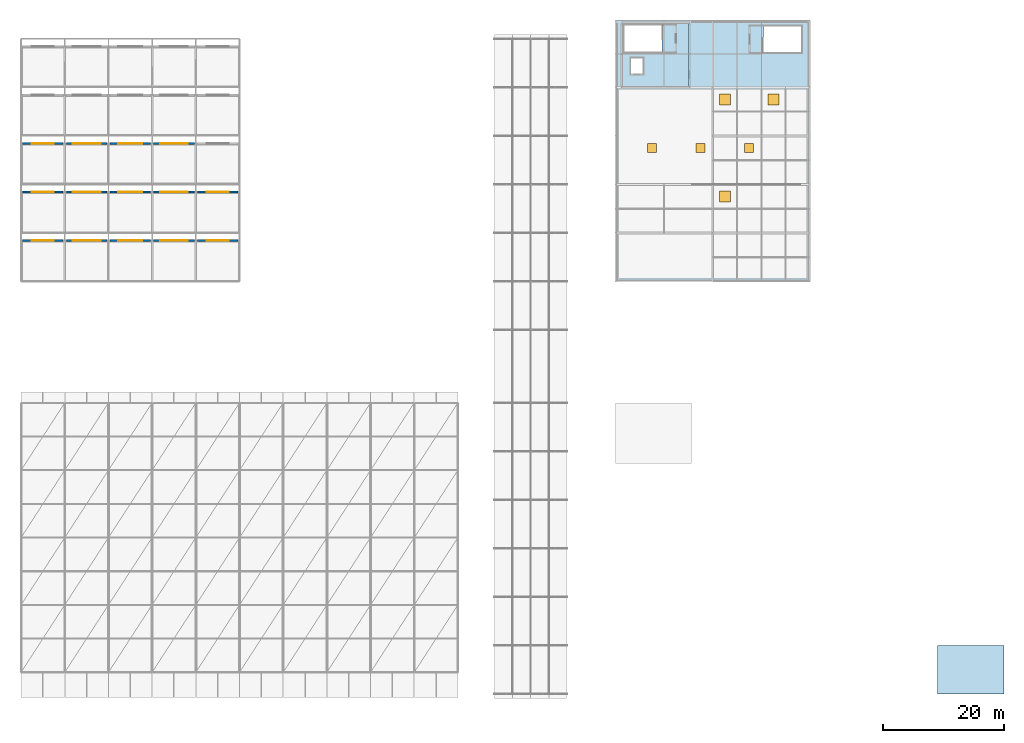
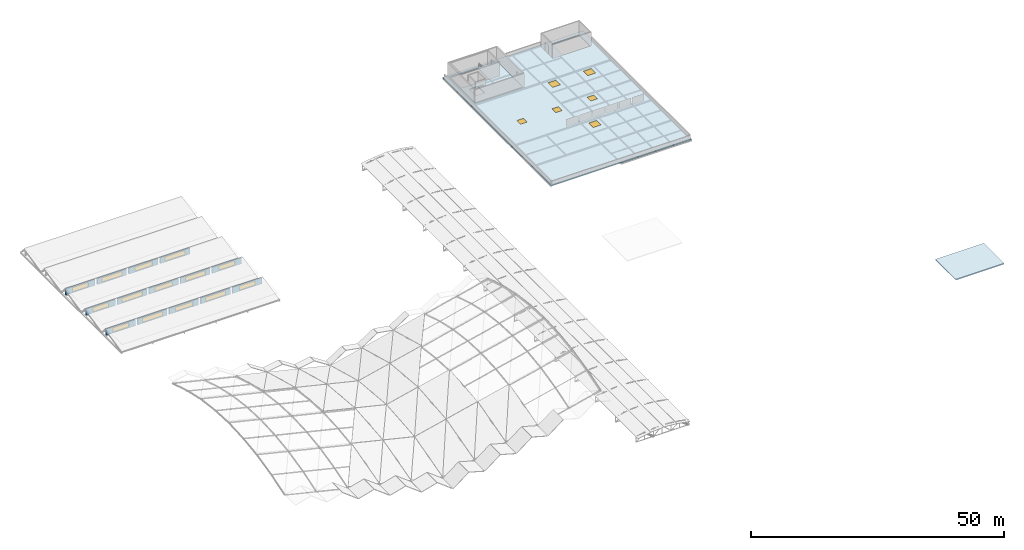
# One storey, part 51 of 54: 20 windows, 14 walls, 3 slabs, 20 openings.
"""IFC4 building model written with IfcOpenShell, lengths in metres."""

from ifc_helpers import new_model, si_unit, derived_unit, direction, frame, frame_2d, origin, origin_2d, place, context, subcontext, project, spatial, polyline, rectangle, outline, extrude, material, layer, layer_set, type_object, element, fill, save


model = new_model("IFC4")

# Units and contexts
model_context = context("Model", 3, precision=1e-05, world=origin(), true_north=direction((0.0, 1.0)))
body_context = subcontext(model_context, "Body", "Model", "MODEL_VIEW")
ifc_project = project(units=[si_unit("LENGTHUNIT", "METRE"), si_unit("AREAUNIT", "SQUARE_METRE"), si_unit("VOLUMEUNIT", "CUBIC_METRE"), si_unit("PLANEANGLEUNIT", "RADIAN"), si_unit("MASSUNIT", "GRAM", prefix="KILO"), derived_unit("THERMALTRANSMITTANCEUNIT", [(si_unit("POWERUNIT", "WATT"), 1), (si_unit("LENGTHUNIT", "METRE"), -2), (si_unit("THERMODYNAMICTEMPERATUREUNIT", "KELVIN"), -1)])], contexts=[model_context])

# Site, building, storey
site_placement = place(None, origin())
site = spatial("IfcSite", under=ifc_project, at=site_placement, CompositionType="ELEMENT")
building_placement = place(site_placement, origin())
building = spatial("IfcBuilding", under=site, at=building_placement, Name="Keldorne Ridge Multi-Sports Centre", CompositionType="ELEMENT")
storey_placement = place(building_placement, frame((0.0, 0.0, 22.199951171875)))
storey = spatial("IfcBuildingStorey", under=building, at=storey_placement, Name="ROOF", CompositionType="ELEMENT", Elevation=22.199951171875)

# Slab
ifc_material_1 = material(Name="Concrete C35/45", Category="concrete")
ifc_layer_1 = layer(ifc_material_1, 0.219970703125)
ifc_layer_set_1 = layer_set([ifc_layer_1], Name="Concrete C35/45")
slab_type_1 = type_object("IfcSlabType", Name="SLB-SL-F02", PredefinedType="FLOOR", material=ifc_layer_set_1)
slab_1_placement = place(storey_placement, frame((0.0, 0.0, -0.219970703125)))
element("IfcSlab", 1, at=slab_1_placement, inside=storey, type_object=slab_type_1, Name="Top Core C1 roof headhouse lobby floor slab", PredefinedType="FLOOR", context=body_context, shape_type="SweptSolid", body=[
    extrude(outline(polyline([(105.14990234375, 106.14990234375), (116.050048828125, 106.14990234375), (116.050048828125, 116.5), (105.14990234375, 116.5), (105.14990234375, 106.14990234375)]), holes=[polyline([(105.39990234375, 111.89990234375), (105.39990234375, 116.199951171875), (111.6201171875, 116.199951171875), (111.6201171875, 111.89990234375), (105.39990234375, 111.89990234375)]), polyline([(106.5, 108.199951171875), (106.5, 110.800048828125), (108.5, 110.800048828125), (108.5, 108.199951171875), (106.5, 108.199951171875)])]), origin(), (0.0, 0.0, 1.0), 0.219970703125),
])

# Slab, openings, windows
ifc_layer_2 = layer(ifc_material_1, 0.22998046875)
ifc_layer_set_2 = layer_set([ifc_layer_2], Name="Concrete C35/45")
slab_type_2 = type_object("IfcSlabType", Name="SLB-SL-R01", PredefinedType="ROOF", material=ifc_layer_set_2)
slab_2_placement = place(storey_placement, frame((0.0, 0.0, -0.22998046875)))
slab_2 = element("IfcSlab", 2, at=slab_2_placement, inside=storey, type_object=slab_type_2, Name="Top East Wing vegetated roof slab", PredefinedType="ROOF", context=body_context, shape_type="SweptSolid", body=[
    extrude(outline(polyline([(104.0, 74.0), (136.0, 74.0), (136.0, 117.0), (104.0, 117.0), (104.0, 74.0)]), holes=[polyline([(128.3798828125, 111.800048828125), (128.3798828125, 116.10009765625), (134.60009765625, 116.10009765625), (134.60009765625, 111.800048828125), (128.3798828125, 111.800048828125)]), polyline([(105.14990234375, 106.14990234375), (105.14990234375, 116.5), (116.050048828125, 116.5), (116.050048828125, 106.14990234375), (105.14990234375, 106.14990234375)]), polyline([(109.25, 95.25), (109.25, 96.75), (110.75, 96.75), (110.75, 95.25), (109.25, 95.25)]), polyline([(117.25, 95.25), (117.25, 96.75), (118.75, 96.75), (118.75, 95.25), (117.25, 95.25)]), polyline([(125.25, 95.25), (125.25, 96.75), (126.75, 96.75), (126.75, 95.25), (125.25, 95.25)]), polyline([(121.10009765625, 103.10009765625), (121.10009765625, 104.89990234375), (122.89990234375, 104.89990234375), (122.89990234375, 103.10009765625), (121.10009765625, 103.10009765625)]), polyline([(129.10009765625, 103.10009765625), (129.10009765625, 104.89990234375), (130.89990234375, 104.89990234375), (130.89990234375, 103.10009765625), (129.10009765625, 103.10009765625)]), polyline([(121.10009765625, 87.10009765625), (121.10009765625, 88.89990234375), (122.89990234375, 88.89990234375), (122.89990234375, 87.10009765625), (121.10009765625, 87.10009765625)])]), origin(), (0.0, 0.0, 1.0), 0.22998046875),
])
opening_1_placement = place(slab_2_placement, frame((110.0, 96.0, 0.0)))
opening_1 = element("IfcOpeningElement", 3, at=opening_1_placement, cuts=slab_2, Name="Opening RD-02", PredefinedType="OPENING", context=body_context, shape_type="SweptSolid", body=[
    extrude(rectangle(XDim=1.5, YDim=1.5, at=origin_2d()), frame((0.0, 0.0, -0.010009765625)), (0.0, 0.0, 1.0), 0.25),
])
opening_2_placement = place(slab_2_placement, frame((118.0, 96.0, 0.0)))
opening_2 = element("IfcOpeningElement", 4, at=opening_2_placement, cuts=slab_2, Name="Opening RD-02", PredefinedType="OPENING", context=body_context, shape_type="SweptSolid", body=[
    extrude(rectangle(XDim=1.5, YDim=1.5, at=origin_2d()), frame((0.0, 0.0, -0.010009765625)), (0.0, 0.0, 1.0), 0.25),
])
opening_3_placement = place(slab_2_placement, frame((126.0, 96.0, 0.0)))
opening_3 = element("IfcOpeningElement", 5, at=opening_3_placement, cuts=slab_2, Name="Opening RD-02", PredefinedType="OPENING", context=body_context, shape_type="SweptSolid", body=[
    extrude(rectangle(XDim=1.5, YDim=1.5, at=origin_2d()), frame((0.0, 0.0, -0.010009765625)), (0.0, 0.0, 1.0), 0.25),
])
opening_4_placement = place(slab_2_placement, frame((122.0, 104.0, 0.0)))
opening_4 = element("IfcOpeningElement", 6, at=opening_4_placement, cuts=slab_2, Name="Opening RD-01", PredefinedType="OPENING", context=body_context, shape_type="SweptSolid", body=[
    extrude(rectangle(XDim=1.800048828125, YDim=1.800048828125, at=origin_2d()), frame((0.0, 0.0, -0.010009765625)), (0.0, 0.0, 1.0), 0.25),
])
opening_5_placement = place(slab_2_placement, frame((130.0, 104.0, 0.0)))
opening_5 = element("IfcOpeningElement", 7, at=opening_5_placement, cuts=slab_2, Name="Opening RD-01", PredefinedType="OPENING", context=body_context, shape_type="SweptSolid", body=[
    extrude(rectangle(XDim=1.800048828125, YDim=1.800048828125, at=origin_2d()), frame((0.0, 0.0, -0.010009765625)), (0.0, 0.0, 1.0), 0.25),
])
opening_6_placement = place(slab_2_placement, frame((122.0, 88.0, 0.0)))
opening_6 = element("IfcOpeningElement", 8, at=opening_6_placement, cuts=slab_2, Name="Opening RD-01", PredefinedType="OPENING", context=body_context, shape_type="SweptSolid", body=[
    extrude(rectangle(XDim=1.800048828125, YDim=1.800048828125, at=origin_2d()), frame((0.0, 0.0, -0.010009765625)), (0.0, 0.0, 1.0), 0.25),
])
ifc_material_2 = material(Name="Anodized aluminium", Category="aluminium")
window_type_1 = type_object("IfcWindowType", Name="WIN-RD-01", PartitioningType="SINGLE_PANEL", PredefinedType="LIGHTDOME", material=ifc_material_2)
window_1_placement = place(opening_4_placement, frame((0.0, 0.0, 0.179931640625)))
window_1 = element("IfcWindow", 9, at=window_1_placement, inside=storey, type_object=window_type_1, Name="Rooftop daylight roof dome RD-04", OverallHeight=1.800048828125, OverallWidth=1.800048828125, PartitioningType="SINGLE_PANEL", PredefinedType="LIGHTDOME", context=body_context, shape_type="SweptSolid", body=[
    extrude(rectangle(XDim=1.800048828125, YDim=1.800048828125, at=origin_2d()), origin(), (0.0, 0.0, 1.0), 0.050048828125),
])
fill(opening_4, window_1)
window_2_placement = place(opening_5_placement, frame((0.0, 0.0, 0.179931640625)))
window_2 = element("IfcWindow", 10, at=window_2_placement, inside=storey, type_object=window_type_1, Name="Rooftop daylight roof dome RD-05", OverallHeight=1.800048828125, OverallWidth=1.800048828125, PartitioningType="SINGLE_PANEL", PredefinedType="LIGHTDOME", context=body_context, shape_type="SweptSolid", body=[
    extrude(rectangle(XDim=1.800048828125, YDim=1.800048828125, at=origin_2d()), origin(), (0.0, 0.0, 1.0), 0.050048828125),
])
fill(opening_5, window_2)
window_3_placement = place(opening_6_placement, frame((0.0, 0.0, 0.179931640625)))
window_3 = element("IfcWindow", 11, at=window_3_placement, inside=storey, type_object=window_type_1, Name="Rooftop daylight roof dome RD-06", OverallHeight=1.800048828125, OverallWidth=1.800048828125, PartitioningType="SINGLE_PANEL", PredefinedType="LIGHTDOME", context=body_context, shape_type="SweptSolid", body=[
    extrude(rectangle(XDim=1.800048828125, YDim=1.800048828125, at=origin_2d()), origin(), (0.0, 0.0, 1.0), 0.050048828125),
])
fill(opening_6, window_3)
window_type_2 = type_object("IfcWindowType", Name="WIN-RD-02", PartitioningType="SINGLE_PANEL", PredefinedType="LIGHTDOME", material=ifc_material_2)
window_4_placement = place(opening_1_placement, frame((0.0, 0.0, 0.179931640625)))
window_4 = element("IfcWindow", 12, at=window_4_placement, inside=storey, type_object=window_type_2, Name="Rooftop daylight roof dome RD-01", OverallHeight=1.5, OverallWidth=1.5, PartitioningType="SINGLE_PANEL", PredefinedType="LIGHTDOME", context=body_context, shape_type="SweptSolid", body=[
    extrude(rectangle(XDim=1.5, YDim=1.5, at=origin_2d()), origin(), (0.0, 0.0, 1.0), 0.050048828125),
])
fill(opening_1, window_4)
window_5_placement = place(opening_2_placement, frame((0.0, 0.0, 0.179931640625)))
window_5 = element("IfcWindow", 13, at=window_5_placement, inside=storey, type_object=window_type_2, Name="Rooftop daylight roof dome RD-02", OverallHeight=1.5, OverallWidth=1.5, PartitioningType="SINGLE_PANEL", PredefinedType="LIGHTDOME", context=body_context, shape_type="SweptSolid", body=[
    extrude(rectangle(XDim=1.5, YDim=1.5, at=origin_2d()), origin(), (0.0, 0.0, 1.0), 0.050048828125),
])
fill(opening_2, window_5)
window_6_placement = place(opening_3_placement, frame((0.0, 0.0, 0.179931640625)))
window_6 = element("IfcWindow", 14, at=window_6_placement, inside=storey, type_object=window_type_2, Name="Rooftop daylight roof dome RD-03", OverallHeight=1.5, OverallWidth=1.5, PartitioningType="SINGLE_PANEL", PredefinedType="LIGHTDOME", context=body_context, shape_type="SweptSolid", body=[
    extrude(rectangle(XDim=1.5, YDim=1.5, at=origin_2d()), origin(), (0.0, 0.0, 1.0), 0.050048828125),
])
fill(opening_3, window_6)

# Slab
slab_3_placement = place(storey_placement, frame((0.0, 0.0, -0.22998046875)))
element("IfcSlab", 15, at=slab_3_placement, inside=storey, type_object=slab_type_2, Name="Top Core C5 headhouse roof", PredefinedType="ROOF", context=body_context, shape_type="SweptSolid", body=[
    extrude(outline(polyline([(157.0, 6.0), (168.0, 6.0), (168.0, 14.0), (157.0, 14.0), (157.0, 6.0)])), origin(), (0.0, 0.0, 1.0), 0.22998046875),
])

# Wall, opening, window
ifc_material_3 = material(Name="Precast concrete C40/50", Category="concrete")
ifc_layer_3 = layer(ifc_material_3, 0.280029296875)
ifc_layer_set_3 = layer_set([ifc_layer_3], Name="Precast concrete C40/50")
wall_type = type_object("IfcWallType", Name="WAL-PR-W3", PredefinedType="STANDARD", material=ifc_layer_set_3)
wall_1_placement = place(storey_placement, frame((12.949951171875, 80.75, -6.0), z_axis=(0.0, 0.0, 1.0), x_axis=(-1.0, 0.0, 0.0)))
wall_1 = element("IfcWall", 16, at=wall_1_placement, inside=storey, type_object=wall_type, Name="Sawtooth north-light monitor 1.1", PredefinedType="STANDARD", context=body_context, shape_type="SweptSolid", body=[
    extrude(rectangle(XDim=6.699951171875, YDim=0.280029296875, at=frame_2d((3.35009765625, 0.0))), origin(), (0.0, 0.0, 1.0), 1.449951171875),
])
opening_7_placement = place(wall_1_placement, frame((1.550048828125, 0.0, 0.199951171875)))
opening_7 = element("IfcOpeningElement", 17, at=opening_7_placement, cuts=wall_1, Name="Opening SK-02", PredefinedType="OPENING", context=body_context, shape_type="SweptSolid", body=[
    extrude(rectangle(XDim=3.60009765625, YDim=1.050048828125, at=frame_2d((1.800048828125, 0.52490234375))), frame((0.0, 0.14990234375, 0.0), z_axis=(0.0, -1.0, 0.0), x_axis=(1.0, 0.0, 0.0)), (0.0, 0.0, 1.0), 0.300048828125),
])
window_type_3 = type_object("IfcWindowType", Name="WIN-SK-02", PartitioningType="DOUBLE_PANEL_VERTICAL", PredefinedType="SKYLIGHT", material=ifc_material_2)
window_7_placement = place(opening_7_placement, origin())
window_7 = element("IfcWindow", 18, at=window_7_placement, inside=storey, type_object=window_type_3, Name="North-light sawtooth skylight W-002", OverallHeight=1.050048828125, OverallWidth=3.60009765625, PartitioningType="SINGLE_PANEL", PredefinedType="SKYLIGHT", context=body_context, shape_type="SweptSolid", body=[
    extrude(rectangle(XDim=3.60009765625, YDim=1.050048828125, at=frame_2d((1.800048828125, 0.52490234375))), frame((0.0, 0.030029296875, 0.0), z_axis=(0.0, -1.0, 0.0), x_axis=(1.0, 0.0, 0.0)), (0.0, 0.0, 1.0), 0.06005859375),
])
fill(opening_7, window_7)

wall_2_placement = place(storey_placement, frame((20.14990234375, 80.75, -6.0), z_axis=(0.0, 0.0, 1.0), x_axis=(-1.0, 0.0, 0.0)))
wall_2 = element("IfcWall", 19, at=wall_2_placement, inside=storey, type_object=wall_type, Name="Sawtooth north-light monitor 1.2", PredefinedType="STANDARD", context=body_context, shape_type="SweptSolid", body=[
    extrude(rectangle(XDim=6.699951171875, YDim=0.280029296875, at=frame_2d((3.35009765625, 0.0))), origin(), (0.0, 0.0, 1.0), 1.449951171875),
])
opening_8_placement = place(wall_2_placement, frame((1.050048828125, 0.0, 0.199951171875)))
opening_8 = element("IfcOpeningElement", 20, at=opening_8_placement, cuts=wall_2, Name="Opening SK-01", PredefinedType="OPENING", context=body_context, shape_type="SweptSolid", body=[
    extrude(rectangle(XDim=4.60009765625, YDim=1.050048828125, at=frame_2d((2.300048828125, 0.52490234375))), frame((0.0, 0.14990234375, 0.0), z_axis=(0.0, -1.0, 0.0), x_axis=(1.0, 0.0, 0.0)), (0.0, 0.0, 1.0), 0.300048828125),
])
window_type_4 = type_object("IfcWindowType", Name="WIN-SK-01", PartitioningType="DOUBLE_PANEL_VERTICAL", PredefinedType="SKYLIGHT", material=ifc_material_2)
window_8_placement = place(opening_8_placement, origin())
window_8 = element("IfcWindow", 21, at=window_8_placement, inside=storey, type_object=window_type_4, Name="North-light sawtooth skylight W-003", OverallHeight=1.050048828125, OverallWidth=4.60009765625, PartitioningType="SINGLE_PANEL", PredefinedType="SKYLIGHT", context=body_context, shape_type="SweptSolid", body=[
    extrude(rectangle(XDim=4.60009765625, YDim=1.050048828125, at=frame_2d((2.300048828125, 0.52490234375))), frame((0.0, 0.030029296875, 0.0), z_axis=(0.0, -1.0, 0.0), x_axis=(1.0, 0.0, 0.0)), (0.0, 0.0, 1.0), 0.06005859375),
])
fill(opening_8, window_8)

wall_3_placement = place(storey_placement, frame((27.35009765625, 80.75, -6.0), z_axis=(0.0, 0.0, 1.0), x_axis=(-1.0, 0.0, 0.0)))
wall_3 = element("IfcWall", 22, at=wall_3_placement, inside=storey, type_object=wall_type, Name="Sawtooth north-light monitor 1.3", PredefinedType="STANDARD", context=body_context, shape_type="SweptSolid", body=[
    extrude(rectangle(XDim=6.7001953125, YDim=0.280029296875, at=frame_2d((3.35009765625, 0.0))), origin(), (0.0, 0.0, 1.0), 1.449951171875),
])
opening_9_placement = place(wall_3_placement, frame((1.35009765625, 0.0, 0.199951171875)))
opening_9 = element("IfcOpeningElement", 23, at=opening_9_placement, cuts=wall_3, Name="Opening SK-03", PredefinedType="OPENING", context=body_context, shape_type="SweptSolid", body=[
    extrude(rectangle(XDim=4.0, YDim=1.0, at=frame_2d((2.0, 0.5))), frame((0.0, 0.14990234375, 0.0), z_axis=(0.0, -1.0, 0.0), x_axis=(1.0, 0.0, 0.0)), (0.0, 0.0, 1.0), 0.300048828125),
])
window_type_5 = type_object("IfcWindowType", Name="WIN-SK-03", PartitioningType="DOUBLE_PANEL_VERTICAL", PredefinedType="SKYLIGHT", material=ifc_material_2)
window_9_placement = place(opening_9_placement, origin())
window_9 = element("IfcWindow", 24, at=window_9_placement, inside=storey, type_object=window_type_5, Name="North-light sawtooth skylight W-004", OverallHeight=1.0, OverallWidth=4.0, PartitioningType="SINGLE_PANEL", PredefinedType="SKYLIGHT", context=body_context, shape_type="SweptSolid", body=[
    extrude(rectangle(XDim=4.0, YDim=1.0, at=frame_2d((2.0, 0.5))), frame((0.0, 0.030029296875, 0.0), z_axis=(0.0, -1.0, 0.0), x_axis=(1.0, 0.0, 0.0)), (0.0, 0.0, 1.0), 0.06005859375),
])
fill(opening_9, window_9)

wall_4_placement = place(storey_placement, frame((34.550048828125, 80.75, -6.0), z_axis=(0.0, 0.0, 1.0), x_axis=(-1.0, 0.0, 0.0)))
wall_4 = element("IfcWall", 25, at=wall_4_placement, inside=storey, type_object=wall_type, Name="Sawtooth north-light monitor 1.4", PredefinedType="STANDARD", context=body_context, shape_type="SweptSolid", body=[
    extrude(rectangle(XDim=6.699951171875, YDim=0.280029296875, at=frame_2d((3.35009765625, 0.0))), origin(), (0.0, 0.0, 1.0), 1.449951171875),
])
opening_10_placement = place(wall_4_placement, frame((1.050048828125, 0.0, 0.199951171875)))
opening_10 = element("IfcOpeningElement", 26, at=opening_10_placement, cuts=wall_4, Name="Opening SK-01", PredefinedType="OPENING", context=body_context, shape_type="SweptSolid", body=[
    extrude(rectangle(XDim=4.60009765625, YDim=1.050048828125, at=frame_2d((2.300048828125, 0.52490234375))), frame((0.0, 0.14990234375, 0.0), z_axis=(0.0, -1.0, 0.0), x_axis=(1.0, 0.0, 0.0)), (0.0, 0.0, 1.0), 0.300048828125),
])
window_10_placement = place(opening_10_placement, origin())
window_10 = element("IfcWindow", 27, at=window_10_placement, inside=storey, type_object=window_type_4, Name="North-light sawtooth skylight W-005", OverallHeight=1.050048828125, OverallWidth=4.60009765625, PartitioningType="SINGLE_PANEL", PredefinedType="SKYLIGHT", context=body_context, shape_type="SweptSolid", body=[
    extrude(rectangle(XDim=4.60009765625, YDim=1.050048828125, at=frame_2d((2.300048828125, 0.52490234375))), frame((0.0, 0.030029296875, 0.0), z_axis=(0.0, -1.0, 0.0), x_axis=(1.0, 0.0, 0.0)), (0.0, 0.0, 1.0), 0.06005859375),
])
fill(opening_10, window_10)

wall_5_placement = place(storey_placement, frame((41.75, 80.75, -6.0), z_axis=(0.0, 0.0, 1.0), x_axis=(-1.0, 0.0, 0.0)))
wall_5 = element("IfcWall", 28, at=wall_5_placement, inside=storey, type_object=wall_type, Name="Sawtooth north-light monitor 1.5", PredefinedType="STANDARD", context=body_context, shape_type="SweptSolid", body=[
    extrude(rectangle(XDim=6.699951171875, YDim=0.280029296875, at=frame_2d((3.35009765625, 0.0))), origin(), (0.0, 0.0, 1.0), 1.449951171875),
])
opening_11_placement = place(wall_5_placement, frame((1.550048828125, 0.0, 0.199951171875)))
opening_11 = element("IfcOpeningElement", 29, at=opening_11_placement, cuts=wall_5, Name="Opening SK-02", PredefinedType="OPENING", context=body_context, shape_type="SweptSolid", body=[
    extrude(rectangle(XDim=3.60009765625, YDim=1.050048828125, at=frame_2d((1.800048828125, 0.52490234375))), frame((0.0, 0.14990234375, 0.0), z_axis=(0.0, -1.0, 0.0), x_axis=(1.0, 0.0, 0.0)), (0.0, 0.0, 1.0), 0.300048828125),
])
window_11_placement = place(opening_11_placement, origin())
window_11 = element("IfcWindow", 30, at=window_11_placement, inside=storey, type_object=window_type_3, Name="North-light sawtooth skylight W-006", OverallHeight=1.050048828125, OverallWidth=3.60009765625, PartitioningType="SINGLE_PANEL", PredefinedType="SKYLIGHT", context=body_context, shape_type="SweptSolid", body=[
    extrude(rectangle(XDim=3.60009765625, YDim=1.050048828125, at=frame_2d((1.800048828125, 0.52490234375))), frame((0.0, 0.030029296875, 0.0), z_axis=(0.0, -1.0, 0.0), x_axis=(1.0, 0.0, 0.0)), (0.0, 0.0, 1.0), 0.06005859375),
])
fill(opening_11, window_11)

wall_6_placement = place(storey_placement, frame((12.949951171875, 88.75, -6.0), z_axis=(0.0, 0.0, 1.0), x_axis=(-1.0, 0.0, 0.0)))
wall_6 = element("IfcWall", 31, at=wall_6_placement, inside=storey, type_object=wall_type, Name="Sawtooth north-light monitor 2.1", PredefinedType="STANDARD", context=body_context, shape_type="SweptSolid", body=[
    extrude(rectangle(XDim=6.699951171875, YDim=0.280029296875, at=frame_2d((3.35009765625, 0.0))), origin(), (0.0, 0.0, 1.0), 1.449951171875),
])
opening_12_placement = place(wall_6_placement, frame((1.550048828125, 0.0, 0.199951171875)))
opening_12 = element("IfcOpeningElement", 32, at=opening_12_placement, cuts=wall_6, Name="Opening SK-02", PredefinedType="OPENING", context=body_context, shape_type="SweptSolid", body=[
    extrude(rectangle(XDim=3.60009765625, YDim=1.050048828125, at=frame_2d((1.800048828125, 0.52490234375))), frame((0.0, 0.14990234375, 0.0), z_axis=(0.0, -1.0, 0.0), x_axis=(1.0, 0.0, 0.0)), (0.0, 0.0, 1.0), 0.300048828125),
])
window_12_placement = place(opening_12_placement, origin())
window_12 = element("IfcWindow", 33, at=window_12_placement, inside=storey, type_object=window_type_3, Name="North-light sawtooth skylight W-007", OverallHeight=1.050048828125, OverallWidth=3.60009765625, PartitioningType="SINGLE_PANEL", PredefinedType="SKYLIGHT", context=body_context, shape_type="SweptSolid", body=[
    extrude(rectangle(XDim=3.60009765625, YDim=1.050048828125, at=frame_2d((1.800048828125, 0.52490234375))), frame((0.0, 0.030029296875, 0.0), z_axis=(0.0, -1.0, 0.0), x_axis=(1.0, 0.0, 0.0)), (0.0, 0.0, 1.0), 0.06005859375),
])
fill(opening_12, window_12)

wall_7_placement = place(storey_placement, frame((20.14990234375, 88.75, -6.0), z_axis=(0.0, 0.0, 1.0), x_axis=(-1.0, 0.0, 0.0)))
wall_7 = element("IfcWall", 34, at=wall_7_placement, inside=storey, type_object=wall_type, Name="Sawtooth north-light monitor 2.2", PredefinedType="STANDARD", context=body_context, shape_type="SweptSolid", body=[
    extrude(rectangle(XDim=6.699951171875, YDim=0.280029296875, at=frame_2d((3.35009765625, 0.0))), origin(), (0.0, 0.0, 1.0), 1.449951171875),
])
opening_13_placement = place(wall_7_placement, frame((1.050048828125, 0.0, 0.199951171875)))
opening_13 = element("IfcOpeningElement", 35, at=opening_13_placement, cuts=wall_7, Name="Opening SK-01", PredefinedType="OPENING", context=body_context, shape_type="SweptSolid", body=[
    extrude(rectangle(XDim=4.60009765625, YDim=1.050048828125, at=frame_2d((2.300048828125, 0.52490234375))), frame((0.0, 0.14990234375, 0.0), z_axis=(0.0, -1.0, 0.0), x_axis=(1.0, 0.0, 0.0)), (0.0, 0.0, 1.0), 0.300048828125),
])
window_13_placement = place(opening_13_placement, origin())
window_13 = element("IfcWindow", 36, at=window_13_placement, inside=storey, type_object=window_type_4, Name="North-light sawtooth skylight W-008", OverallHeight=1.050048828125, OverallWidth=4.60009765625, PartitioningType="SINGLE_PANEL", PredefinedType="SKYLIGHT", context=body_context, shape_type="SweptSolid", body=[
    extrude(rectangle(XDim=4.60009765625, YDim=1.050048828125, at=frame_2d((2.300048828125, 0.52490234375))), frame((0.0, 0.030029296875, 0.0), z_axis=(0.0, -1.0, 0.0), x_axis=(1.0, 0.0, 0.0)), (0.0, 0.0, 1.0), 0.06005859375),
])
fill(opening_13, window_13)

wall_8_placement = place(storey_placement, frame((27.35009765625, 88.75, -6.0), z_axis=(0.0, 0.0, 1.0), x_axis=(-1.0, 0.0, 0.0)))
wall_8 = element("IfcWall", 37, at=wall_8_placement, inside=storey, type_object=wall_type, Name="Sawtooth north-light monitor 2.3", PredefinedType="STANDARD", context=body_context, shape_type="SweptSolid", body=[
    extrude(rectangle(XDim=6.7001953125, YDim=0.280029296875, at=frame_2d((3.35009765625, 0.0))), origin(), (0.0, 0.0, 1.0), 1.449951171875),
])
opening_14_placement = place(wall_8_placement, frame((1.35009765625, 0.0, 0.199951171875)))
opening_14 = element("IfcOpeningElement", 38, at=opening_14_placement, cuts=wall_8, Name="Opening SK-03", PredefinedType="OPENING", context=body_context, shape_type="SweptSolid", body=[
    extrude(rectangle(XDim=4.0, YDim=1.0, at=frame_2d((2.0, 0.5))), frame((0.0, 0.14990234375, 0.0), z_axis=(0.0, -1.0, 0.0), x_axis=(1.0, 0.0, 0.0)), (0.0, 0.0, 1.0), 0.300048828125),
])
window_14_placement = place(opening_14_placement, origin())
window_14 = element("IfcWindow", 39, at=window_14_placement, inside=storey, type_object=window_type_5, Name="North-light sawtooth skylight W-009", OverallHeight=1.0, OverallWidth=4.0, PartitioningType="SINGLE_PANEL", PredefinedType="SKYLIGHT", context=body_context, shape_type="SweptSolid", body=[
    extrude(rectangle(XDim=4.0, YDim=1.0, at=frame_2d((2.0, 0.5))), frame((0.0, 0.030029296875, 0.0), z_axis=(0.0, -1.0, 0.0), x_axis=(1.0, 0.0, 0.0)), (0.0, 0.0, 1.0), 0.06005859375),
])
fill(opening_14, window_14)

wall_9_placement = place(storey_placement, frame((34.550048828125, 88.75, -6.0), z_axis=(0.0, 0.0, 1.0), x_axis=(-1.0, 0.0, 0.0)))
wall_9 = element("IfcWall", 40, at=wall_9_placement, inside=storey, type_object=wall_type, Name="Sawtooth north-light monitor 2.4", PredefinedType="STANDARD", context=body_context, shape_type="SweptSolid", body=[
    extrude(rectangle(XDim=6.699951171875, YDim=0.280029296875, at=frame_2d((3.35009765625, 0.0))), origin(), (0.0, 0.0, 1.0), 1.449951171875),
])
opening_15_placement = place(wall_9_placement, frame((1.050048828125, 0.0, 0.199951171875)))
opening_15 = element("IfcOpeningElement", 41, at=opening_15_placement, cuts=wall_9, Name="Opening SK-01", PredefinedType="OPENING", context=body_context, shape_type="SweptSolid", body=[
    extrude(rectangle(XDim=4.60009765625, YDim=1.050048828125, at=frame_2d((2.300048828125, 0.52490234375))), frame((0.0, 0.14990234375, 0.0), z_axis=(0.0, -1.0, 0.0), x_axis=(1.0, 0.0, 0.0)), (0.0, 0.0, 1.0), 0.300048828125),
])
window_15_placement = place(opening_15_placement, origin())
window_15 = element("IfcWindow", 42, at=window_15_placement, inside=storey, type_object=window_type_4, Name="North-light sawtooth skylight W-010", OverallHeight=1.050048828125, OverallWidth=4.60009765625, PartitioningType="SINGLE_PANEL", PredefinedType="SKYLIGHT", context=body_context, shape_type="SweptSolid", body=[
    extrude(rectangle(XDim=4.60009765625, YDim=1.050048828125, at=frame_2d((2.300048828125, 0.52490234375))), frame((0.0, 0.030029296875, 0.0), z_axis=(0.0, -1.0, 0.0), x_axis=(1.0, 0.0, 0.0)), (0.0, 0.0, 1.0), 0.06005859375),
])
fill(opening_15, window_15)

wall_10_placement = place(storey_placement, frame((41.75, 88.75, -6.0), z_axis=(0.0, 0.0, 1.0), x_axis=(-1.0, 0.0, 0.0)))
wall_10 = element("IfcWall", 43, at=wall_10_placement, inside=storey, type_object=wall_type, Name="Sawtooth north-light monitor 2.5", PredefinedType="STANDARD", context=body_context, shape_type="SweptSolid", body=[
    extrude(rectangle(XDim=6.699951171875, YDim=0.280029296875, at=frame_2d((3.35009765625, 0.0))), origin(), (0.0, 0.0, 1.0), 1.449951171875),
])
opening_16_placement = place(wall_10_placement, frame((1.550048828125, 0.0, 0.199951171875)))
opening_16 = element("IfcOpeningElement", 44, at=opening_16_placement, cuts=wall_10, Name="Opening SK-02", PredefinedType="OPENING", context=body_context, shape_type="SweptSolid", body=[
    extrude(rectangle(XDim=3.60009765625, YDim=1.050048828125, at=frame_2d((1.800048828125, 0.52490234375))), frame((0.0, 0.14990234375, 0.0), z_axis=(0.0, -1.0, 0.0), x_axis=(1.0, 0.0, 0.0)), (0.0, 0.0, 1.0), 0.300048828125),
])
window_16_placement = place(opening_16_placement, origin())
window_16 = element("IfcWindow", 45, at=window_16_placement, inside=storey, type_object=window_type_3, Name="North-light sawtooth skylight W-011", OverallHeight=1.050048828125, OverallWidth=3.60009765625, PartitioningType="SINGLE_PANEL", PredefinedType="SKYLIGHT", context=body_context, shape_type="SweptSolid", body=[
    extrude(rectangle(XDim=3.60009765625, YDim=1.050048828125, at=frame_2d((1.800048828125, 0.52490234375))), frame((0.0, 0.030029296875, 0.0), z_axis=(0.0, -1.0, 0.0), x_axis=(1.0, 0.0, 0.0)), (0.0, 0.0, 1.0), 0.06005859375),
])
fill(opening_16, window_16)

wall_11_placement = place(storey_placement, frame((12.949951171875, 96.75, -6.0), z_axis=(0.0, 0.0, 1.0), x_axis=(-1.0, 0.0, 0.0)))
wall_11 = element("IfcWall", 46, at=wall_11_placement, inside=storey, type_object=wall_type, Name="Sawtooth north-light monitor 3.1", PredefinedType="STANDARD", context=body_context, shape_type="SweptSolid", body=[
    extrude(rectangle(XDim=6.699951171875, YDim=0.280029296875, at=frame_2d((3.35009765625, 0.0))), origin(), (0.0, 0.0, 1.0), 1.449951171875),
])
opening_17_placement = place(wall_11_placement, frame((1.550048828125, 0.0, 0.199951171875)))
opening_17 = element("IfcOpeningElement", 47, at=opening_17_placement, cuts=wall_11, Name="Opening SK-02", PredefinedType="OPENING", context=body_context, shape_type="SweptSolid", body=[
    extrude(rectangle(XDim=3.60009765625, YDim=1.050048828125, at=frame_2d((1.800048828125, 0.52490234375))), frame((0.0, 0.14990234375, 0.0), z_axis=(0.0, -1.0, 0.0), x_axis=(1.0, 0.0, 0.0)), (0.0, 0.0, 1.0), 0.300048828125),
])
window_17_placement = place(opening_17_placement, origin())
window_17 = element("IfcWindow", 48, at=window_17_placement, inside=storey, type_object=window_type_3, Name="North-light sawtooth skylight W-012", OverallHeight=1.050048828125, OverallWidth=3.60009765625, PartitioningType="SINGLE_PANEL", PredefinedType="SKYLIGHT", context=body_context, shape_type="SweptSolid", body=[
    extrude(rectangle(XDim=3.60009765625, YDim=1.050048828125, at=frame_2d((1.800048828125, 0.52490234375))), frame((0.0, 0.030029296875, 0.0), z_axis=(0.0, -1.0, 0.0), x_axis=(1.0, 0.0, 0.0)), (0.0, 0.0, 1.0), 0.06005859375),
])
fill(opening_17, window_17)

wall_12_placement = place(storey_placement, frame((20.14990234375, 96.75, -6.0), z_axis=(0.0, 0.0, 1.0), x_axis=(-1.0, 0.0, 0.0)))
wall_12 = element("IfcWall", 49, at=wall_12_placement, inside=storey, type_object=wall_type, Name="Sawtooth north-light monitor 3.2", PredefinedType="STANDARD", context=body_context, shape_type="SweptSolid", body=[
    extrude(rectangle(XDim=6.699951171875, YDim=0.280029296875, at=frame_2d((3.35009765625, 0.0))), origin(), (0.0, 0.0, 1.0), 1.449951171875),
])
opening_18_placement = place(wall_12_placement, frame((1.050048828125, 0.0, 0.199951171875)))
opening_18 = element("IfcOpeningElement", 50, at=opening_18_placement, cuts=wall_12, Name="Opening SK-01", PredefinedType="OPENING", context=body_context, shape_type="SweptSolid", body=[
    extrude(rectangle(XDim=4.60009765625, YDim=1.050048828125, at=frame_2d((2.300048828125, 0.52490234375))), frame((0.0, 0.14990234375, 0.0), z_axis=(0.0, -1.0, 0.0), x_axis=(1.0, 0.0, 0.0)), (0.0, 0.0, 1.0), 0.300048828125),
])
window_18_placement = place(opening_18_placement, origin())
window_18 = element("IfcWindow", 51, at=window_18_placement, inside=storey, type_object=window_type_4, Name="North-light sawtooth skylight W-013", OverallHeight=1.050048828125, OverallWidth=4.60009765625, PartitioningType="SINGLE_PANEL", PredefinedType="SKYLIGHT", context=body_context, shape_type="SweptSolid", body=[
    extrude(rectangle(XDim=4.60009765625, YDim=1.050048828125, at=frame_2d((2.300048828125, 0.52490234375))), frame((0.0, 0.030029296875, 0.0), z_axis=(0.0, -1.0, 0.0), x_axis=(1.0, 0.0, 0.0)), (0.0, 0.0, 1.0), 0.06005859375),
])
fill(opening_18, window_18)

wall_13_placement = place(storey_placement, frame((27.35009765625, 96.75, -6.0), z_axis=(0.0, 0.0, 1.0), x_axis=(-1.0, 0.0, 0.0)))
wall_13 = element("IfcWall", 52, at=wall_13_placement, inside=storey, type_object=wall_type, Name="Sawtooth north-light monitor 3.3", PredefinedType="STANDARD", context=body_context, shape_type="SweptSolid", body=[
    extrude(rectangle(XDim=6.7001953125, YDim=0.280029296875, at=frame_2d((3.35009765625, 0.0))), origin(), (0.0, 0.0, 1.0), 1.449951171875),
])
opening_19_placement = place(wall_13_placement, frame((1.35009765625, 0.0, 0.199951171875)))
opening_19 = element("IfcOpeningElement", 53, at=opening_19_placement, cuts=wall_13, Name="Opening SK-03", PredefinedType="OPENING", context=body_context, shape_type="SweptSolid", body=[
    extrude(rectangle(XDim=4.0, YDim=1.0, at=frame_2d((2.0, 0.5))), frame((0.0, 0.14990234375, 0.0), z_axis=(0.0, -1.0, 0.0), x_axis=(1.0, 0.0, 0.0)), (0.0, 0.0, 1.0), 0.300048828125),
])
window_19_placement = place(opening_19_placement, origin())
window_19 = element("IfcWindow", 54, at=window_19_placement, inside=storey, type_object=window_type_5, Name="North-light sawtooth skylight W-014", OverallHeight=1.0, OverallWidth=4.0, PartitioningType="SINGLE_PANEL", PredefinedType="SKYLIGHT", context=body_context, shape_type="SweptSolid", body=[
    extrude(rectangle(XDim=4.0, YDim=1.0, at=frame_2d((2.0, 0.5))), frame((0.0, 0.030029296875, 0.0), z_axis=(0.0, -1.0, 0.0), x_axis=(1.0, 0.0, 0.0)), (0.0, 0.0, 1.0), 0.06005859375),
])
fill(opening_19, window_19)

wall_14_placement = place(storey_placement, frame((34.550048828125, 96.75, -6.0), z_axis=(0.0, 0.0, 1.0), x_axis=(-1.0, 0.0, 0.0)))
wall_14 = element("IfcWall", 55, at=wall_14_placement, inside=storey, type_object=wall_type, Name="Sawtooth north-light monitor 3.4", PredefinedType="STANDARD", context=body_context, shape_type="SweptSolid", body=[
    extrude(rectangle(XDim=6.699951171875, YDim=0.280029296875, at=frame_2d((3.35009765625, 0.0))), origin(), (0.0, 0.0, 1.0), 1.449951171875),
])
opening_20_placement = place(wall_14_placement, frame((1.050048828125, 0.0, 0.199951171875)))
opening_20 = element("IfcOpeningElement", 56, at=opening_20_placement, cuts=wall_14, Name="Opening SK-01", PredefinedType="OPENING", context=body_context, shape_type="SweptSolid", body=[
    extrude(rectangle(XDim=4.60009765625, YDim=1.050048828125, at=frame_2d((2.300048828125, 0.52490234375))), frame((0.0, 0.14990234375, 0.0), z_axis=(0.0, -1.0, 0.0), x_axis=(1.0, 0.0, 0.0)), (0.0, 0.0, 1.0), 0.300048828125),
])
window_20_placement = place(opening_20_placement, origin())
window_20 = element("IfcWindow", 57, at=window_20_placement, inside=storey, type_object=window_type_4, Name="North-light sawtooth skylight W-015", OverallHeight=1.050048828125, OverallWidth=4.60009765625, PartitioningType="SINGLE_PANEL", PredefinedType="SKYLIGHT", context=body_context, shape_type="SweptSolid", body=[
    extrude(rectangle(XDim=4.60009765625, YDim=1.050048828125, at=frame_2d((2.300048828125, 0.52490234375))), frame((0.0, 0.030029296875, 0.0), z_axis=(0.0, -1.0, 0.0), x_axis=(1.0, 0.0, 0.0)), (0.0, 0.0, 1.0), 0.06005859375),
])
fill(opening_20, window_20)

save(model, "model.ifc")
